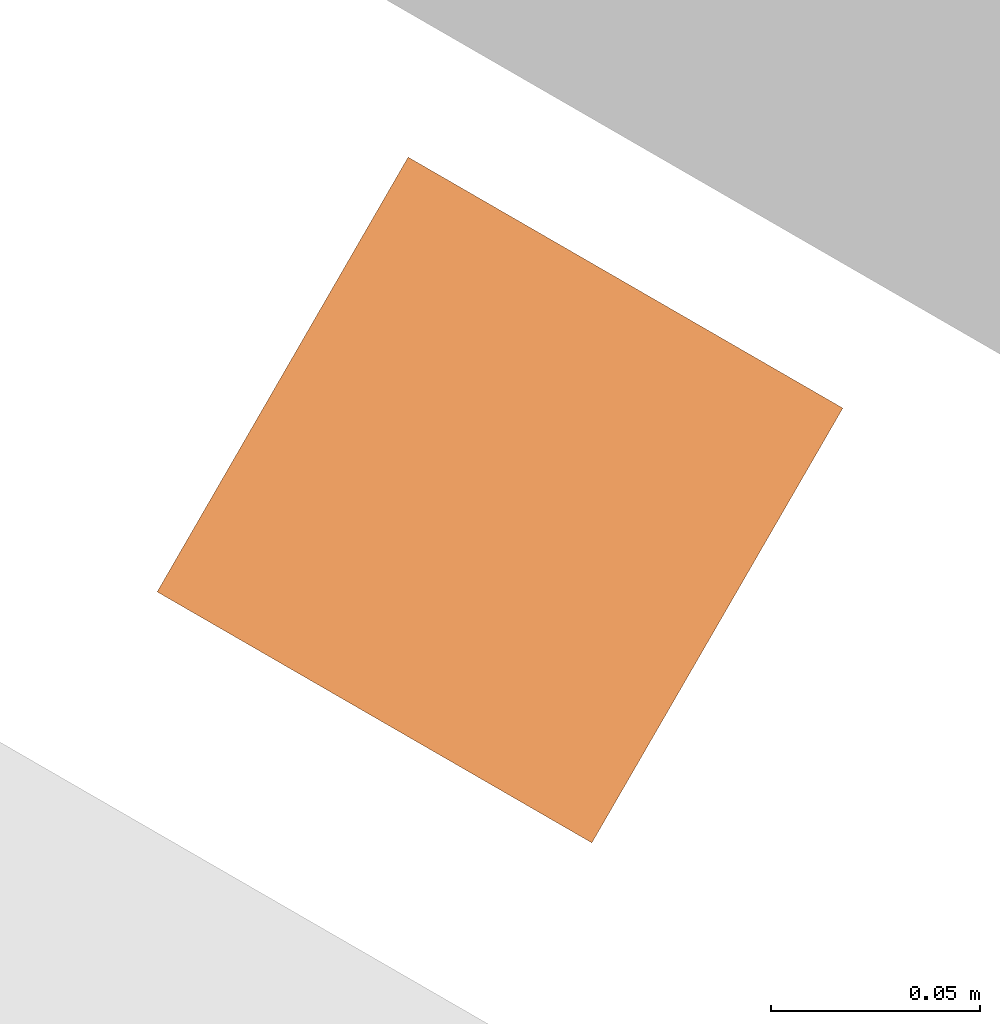
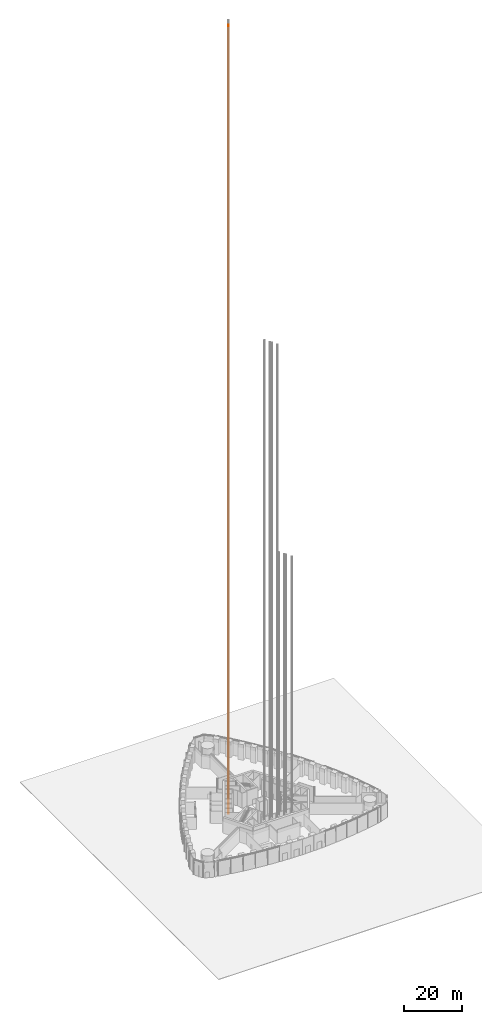
# One storey, part 36 of 43: 1 proxy.
"""IFC4 building model written with IfcOpenShell, lengths in metres."""

from ifc_helpers import new_model, si_unit, direction, frame, origin, origin_2d, place, context, subcontext, project, spatial, rectangle, extrude, element, save


model = new_model("IFC4")

# Units and contexts
model_context = context("Model", 3, precision=1e-05, world=origin(), true_north=direction((0.0, 1.0)))
body_context = subcontext(model_context, "Body", "Model", "MODEL_VIEW")
ifc_project = project(units=[si_unit("LENGTHUNIT", "METRE"), si_unit("AREAUNIT", "SQUARE_METRE"), si_unit("VOLUMEUNIT", "CUBIC_METRE"), si_unit("PLANEANGLEUNIT", "RADIAN"), si_unit("MASSUNIT", "GRAM", prefix="KILO")], contexts=[model_context])

# Site, building, storey
site_placement = place(None, origin())
site = spatial("IfcSite", under=ifc_project, at=site_placement, CompositionType="ELEMENT")
building_placement = place(site_placement, origin())
building = spatial("IfcBuilding", under=site, at=building_placement, Name="Trefoil Bronze Tower", CompositionType="ELEMENT")
storey_placement = place(building_placement, origin())
storey = spatial("IfcBuildingStorey", under=building, at=storey_placement, Name="L00", CompositionType="ELEMENT", Elevation=0.0)

# Proxy
proxy_placement = place(storey_placement, frame((-8.529296875, 7.8515625, -1.60009765625), z_axis=(0.0, 0.0, 1.0), x_axis=(-0.5, -0.866025403784, 0.0)))
element("IfcBuildingElementProxy", 1, at=proxy_placement, inside=storey, Name="Lift S6 guide rail 1", ObjectType="LIFT GUIDE RAIL", PredefinedType="USERDEFINED", context=body_context, shape_type="SweptSolid", body=[
    extrude(rectangle(XDim=0.1201171875, YDim=0.1201171875, at=origin_2d()), origin(), (0.0, 0.0, 1.0), 329.550048828125),
])

save(model, "model.ifc")
